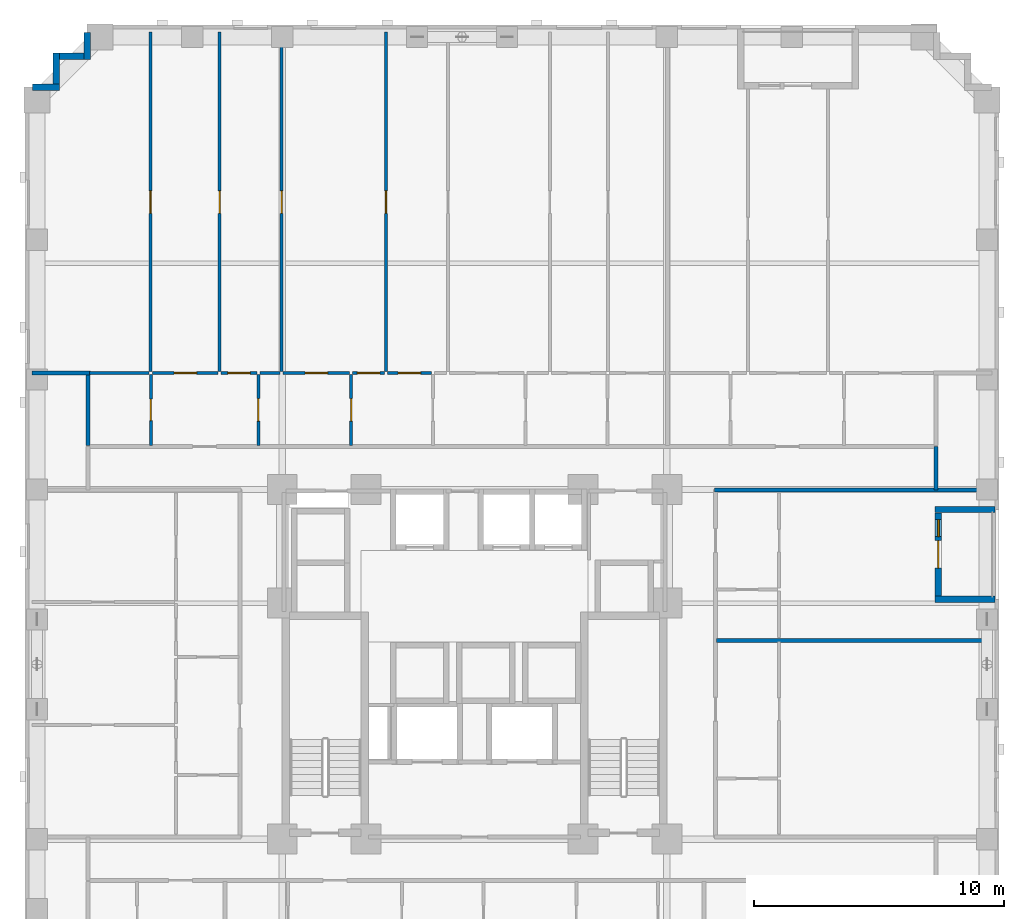
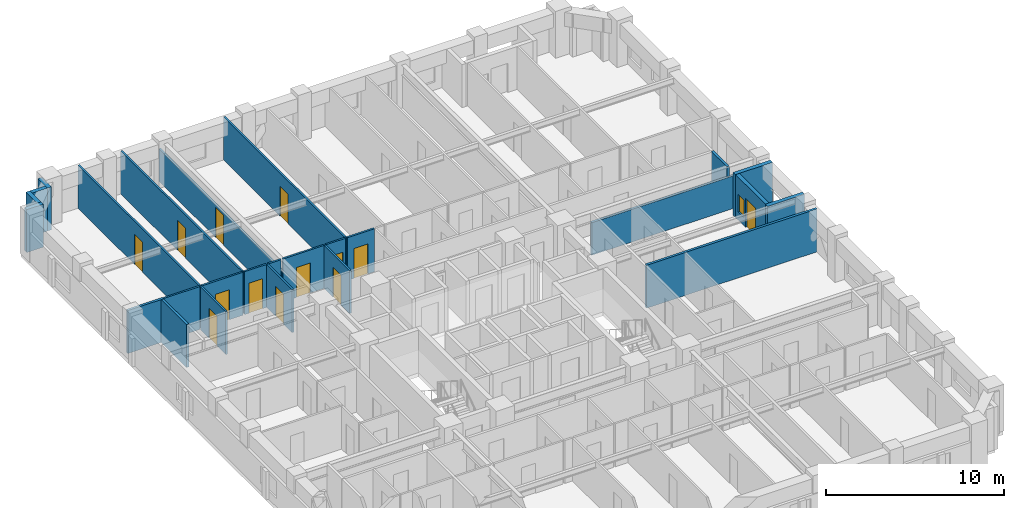
# One storey, part 7 of 14: 26 walls, 13 doors, 1 window, 14 openings.
"""IFC4 building model written with IfcOpenShell, lengths in metres."""

from ifc_helpers import new_model, si_unit, derived_unit, direction, frame, frame_2d, origin, place, context, subcontext, project, spatial, rectangle, extrude, material, layer, layer_set, type_object, element, fill, save


model = new_model("IFC4")

# Units and contexts
model_context = context("Model", 3, precision=1e-05, world=origin(), true_north=direction((0.0, 1.0)))
body_context = subcontext(model_context, "Body", "Model", "MODEL_VIEW")
ifc_project = project(units=[si_unit("LENGTHUNIT", "METRE"), si_unit("AREAUNIT", "SQUARE_METRE"), si_unit("VOLUMEUNIT", "CUBIC_METRE"), si_unit("PLANEANGLEUNIT", "RADIAN"), si_unit("MASSUNIT", "GRAM", prefix="KILO"), derived_unit("THERMALTRANSMITTANCEUNIT", [(si_unit("MASSUNIT", "GRAM", prefix="KILO"), 1), (si_unit("TIMEUNIT", "SECOND"), -3), (si_unit("THERMODYNAMICTEMPERATUREUNIT", "KELVIN"), -1)])], contexts=[model_context])

# Site, building, storey
site_placement = place(None, origin())
site = spatial("IfcSite", under=ifc_project, at=site_placement, CompositionType="ELEMENT")
building_placement = place(site_placement, origin())
building = spatial("IfcBuilding", under=site, at=building_placement, Name="Korrvale Station Residences", CompositionType="ELEMENT")
storey_placement = place(building_placement, frame((0.0, 0.0, 48.199951171875)))
storey = spatial("IfcBuildingStorey", under=building, at=storey_placement, Name="L12", CompositionType="ELEMENT", Elevation=48.199951171875)

# Wall
ifc_material_1 = material(Name="Precast concrete C45/55", Category="concrete")
ifc_layer_1 = layer(ifc_material_1, 0.260009765625, Name="Precast concrete C45/55")
ifc_layer_set_1 = layer_set([ifc_layer_1], Name="Precast concrete C45/55")
wall_type_1 = type_object("IfcWallType", Name="WAL-EXT-LOG260", PredefinedType="SOLIDWALL", material=ifc_layer_set_1)
wall_1_placement = place(storey_placement, frame((46.340087890625, 28.199951171875, 0.0), z_axis=(0.0, 0.0, 1.0), x_axis=(-1.0, 0.0, 0.0)))
element("IfcWall", 1, at=wall_1_placement, inside=storey, type_object=wall_type_1, Name="L12 Recessed Loggia Wall BAL-L12-E1-L", PredefinedType="SOLIDWALL", context=body_context, shape_type="SweptSolid", body=[
    extrude(rectangle(XDim=2.400146484375, YDim=0.260009765625, at=frame_2d((1.2001953125, 0.0))), origin(), (0.0, 0.0, 1.0), 2.93994140625),
])

# Wall, openings, door, window
wall_2_placement = place(storey_placement, frame((44.070068359375, 28.06591796875, 0.0), z_axis=(0.0, 0.0, 1.0), x_axis=(0.0, -1.0, 0.0)))
wall_2 = element("IfcWall", 2, at=wall_2_placement, inside=storey, type_object=wall_type_1, Name="L12 Recessed Loggia Wall BAL-L12-E1-B", PredefinedType="SOLIDWALL", context=body_context, shape_type="SweptSolid", body=[
    extrude(rectangle(XDim=3.33203125, YDim=0.260009765625, at=frame_2d((1.666015625, 0.0))), origin(), (0.0, 0.0, 1.0), 2.93994140625),
])
opening_1_placement = place(wall_2_placement, frame((1.115966796875, 0.0, 0.0)))
opening_1 = element("IfcOpeningElement", 3, at=opening_1_placement, cuts=wall_2, Name="Opening BD-01", PredefinedType="OPENING", context=body_context, shape_type="SweptSolid", body=[
    extrude(rectangle(XDim=1.10009765625, YDim=2.0, at=frame_2d((0.550048828125, 1.0))), frame((0.0, 0.14013671875, 0.0), z_axis=(0.0, -1.0, 0.0), x_axis=(1.0, 0.0, 0.0)), (0.0, 0.0, 1.0), 0.280029296875),
])
opening_2_placement = place(wall_2_placement, frame((0.27587890625, 0.0, 0.550048828125)))
opening_2 = element("IfcOpeningElement", 4, at=opening_2_placement, cuts=wall_2, Name="Opening W-12", PredefinedType="OPENING", context=body_context, shape_type="SweptSolid", body=[
    extrude(rectangle(XDim=0.679931640625, YDim=1.199951171875, at=frame_2d((0.33984375, 0.60009765625))), frame((0.0, 0.14013671875, 0.0), z_axis=(0.0, -1.0, 0.0), x_axis=(1.0, 0.0, 0.0)), (0.0, 0.0, 1.0), 0.280029296875),
])
ifc_material_2 = material(Name="Exterior thermally broken aluminium glazed balcony door", Category="aluminium")
door_type_1 = type_object("IfcDoorType", Name="DR-EXT-BAL", OperationType="NOTDEFINED", PredefinedType="DOOR", material=ifc_material_2)
door_1_placement = place(opening_1_placement, origin())
door_1 = element("IfcDoor", 5, at=door_1_placement, inside=storey, type_object=door_type_1, Name="L12 Loggia Balcony Door BAL-L12-E1", OperationType="SINGLE_SWING_RIGHT", OverallHeight=2.0, OverallWidth=1.10009765625, PredefinedType="DOOR", context=body_context, shape_type="SweptSolid", body=[
    extrude(rectangle(XDim=1.10009765625, YDim=2.0, at=frame_2d((0.550048828125, 1.0))), frame((0.0, 0.02490234375, 0.0), z_axis=(0.0, -1.0, 0.0), x_axis=(1.0, 0.0, 0.0)), (0.0, 0.0, 1.0), 0.050048828125),
])
fill(opening_1, door_1)
ifc_material_3 = material(Name="Thermally broken aluminium frame with triple low-e glazing", Category="aluminium")
window_type = type_object("IfcWindowType", Name="WIN-W12", PartitioningType="SINGLE_PANEL", PredefinedType="WINDOW", material=ifc_material_3)
window_placement = place(opening_2_placement, origin())
window = element("IfcWindow", 6, at=window_placement, inside=storey, type_object=window_type, Name="L12 Punched Window 25", OverallHeight=1.199951171875, OverallWidth=0.679931640625, PartitioningType="SINGLE_PANEL", PredefinedType="WINDOW", context=body_context, shape_type="SweptSolid", body=[
    extrude(rectangle(XDim=0.679931640625, YDim=1.199951171875, at=frame_2d((0.33984375, 0.60009765625))), frame((0.0, 0.030029296875, 0.0), z_axis=(0.0, -1.0, 0.0), x_axis=(1.0, 0.0, 0.0)), (0.0, 0.0, 1.0), 0.06005859375),
])
fill(opening_2, window)

# Walls
wall_3_placement = place(storey_placement, frame((43.93994140625, 24.60009765625, 0.0), z_axis=(0.0, 0.0, 1.0), x_axis=(1.0, 0.0, 0.0)))
element("IfcWall", 7, at=wall_3_placement, inside=storey, type_object=wall_type_1, Name="L12 Recessed Loggia Wall BAL-L12-E1-R", PredefinedType="SOLIDWALL", context=body_context, shape_type="SweptSolid", body=[
    extrude(rectangle(XDim=2.400146484375, YDim=0.260009765625, at=frame_2d((1.2001953125, 0.0))), origin(), (0.0, 0.0, 1.0), 2.93994140625),
])
wall_4_placement = place(storey_placement, frame((7.802001953125, 45.10009765625, 0.0), z_axis=(0.0, 0.0, 1.0), x_axis=(1.0, 0.0, 0.0)))
element("IfcWall", 8, at=wall_4_placement, inside=storey, type_object=wall_type_1, Name="L12 Serrated Corner Precast Step NW-1", PredefinedType="SOLIDWALL", context=body_context, shape_type="SweptSolid", body=[
    extrude(rectangle(XDim=1.077880859375, YDim=0.260009765625, at=frame_2d((0.5390625, 0.0))), origin(), (0.0, 0.0, 1.0), 2.93994140625),
])
wall_5_placement = place(storey_placement, frame((8.75, 45.23193359375, 0.0), z_axis=(0.0, 0.0, 1.0), x_axis=(0.0, 1.0, 0.0)))
element("IfcWall", 9, at=wall_5_placement, inside=storey, type_object=wall_type_1, Name="L12 Serrated Corner Precast Step NW-2", PredefinedType="SOLIDWALL", context=body_context, shape_type="SweptSolid", body=[
    extrude(rectangle(XDim=1.248046875, YDim=0.260009765625, at=frame_2d((0.6240234375, 0.0))), origin(), (0.0, 0.0, 1.0), 2.93994140625),
])
wall_6_placement = place(storey_placement, frame((8.882080078125, 46.35009765625, 0.0), z_axis=(0.0, 0.0, 1.0), x_axis=(1.0, 0.0, 0.0)))
element("IfcWall", 10, at=wall_6_placement, inside=storey, type_object=wall_type_1, Name="L12 Serrated Corner Precast Step NW-3", PredefinedType="SOLIDWALL", context=body_context, shape_type="SweptSolid", body=[
    extrude(rectangle(XDim=0.98583984375, YDim=0.260009765625, at=frame_2d((0.492919921875, 0.0))), origin(), (0.0, 0.0, 1.0), 2.93994140625),
])
wall_7_placement = place(storey_placement, frame((10.0, 46.219970703125, 0.0), z_axis=(0.0, 0.0, 1.0), x_axis=(0.0, 1.0, 0.0)))
element("IfcWall", 11, at=wall_7_placement, inside=storey, type_object=wall_type_1, Name="L12 Serrated Corner Precast Step NW-4", PredefinedType="SOLIDWALL", context=body_context, shape_type="SweptSolid", body=[
    extrude(rectangle(XDim=1.078125, YDim=0.260009765625, at=frame_2d((0.5390625, 0.0))), origin(), (0.0, 0.0, 1.0), 2.93994140625),
])

# Wall, opening, door
ifc_material_4 = material(Name="Acoustic steel-stud gypsum board partition", Category="steel")
ifc_layer_2 = layer(ifc_material_4, 0.1201171875, Name="Acoustic steel-stud gypsum board partition")
ifc_layer_set_2 = layer_set([ifc_layer_2], Name="Acoustic steel-stud gypsum board partition")
wall_type_2 = type_object("IfcWallType", Name="WAL-PART-125", PredefinedType="PARTITIONING", material=ifc_layer_set_2)
wall_8_placement = place(storey_placement, frame((12.5400390625, 30.760009765625, 0.0), z_axis=(0.0, 0.0, 1.0), x_axis=(0.0, 1.0, 0.0)))
wall_8 = element("IfcWall", 12, at=wall_8_placement, inside=storey, type_object=wall_type_2, Name="L12 Suite Partition U04-V01", PredefinedType="PARTITIONING", context=body_context, shape_type="SweptSolid", body=[
    extrude(rectangle(XDim=2.85009765625, YDim=0.1201171875, at=frame_2d((1.425048828125, 0.0))), origin(), (0.0, 0.0, 1.0), 2.93994140625),
])
opening_3_placement = place(wall_8_placement, frame((0.9951171875, 0.0, 0.0)))
opening_3 = element("IfcOpeningElement", 13, at=opening_3_placement, cuts=wall_8, Name="Opening DB-860", PredefinedType="OPENING", context=body_context, shape_type="SweptSolid", body=[
    extrude(rectangle(XDim=0.860107421875, YDim=2.050048828125, at=frame_2d((0.43017578125, 1.02490234375))), frame((0.0, 0.070068359375, 0.0), z_axis=(0.0, -1.0, 0.0), x_axis=(1.0, 0.0, 0.0)), (0.0, 0.0, 1.0), 0.14013671875),
])
ifc_material_5 = material(Name="Moisture-resistant solid-core bathroom door", Category="timber")
door_type_2 = type_object("IfcDoorType", Name="DR-BATH-860", OperationType="NOTDEFINED", PredefinedType="DOOR", material=ifc_material_5)
door_2_placement = place(opening_3_placement, origin())
door_2 = element("IfcDoor", 14, at=door_2_placement, inside=storey, type_object=door_type_2, Name="L12 Apartment 2BR L12-U04 Bathroom Door", OperationType="SINGLE_SWING_RIGHT", OverallHeight=2.050048828125, OverallWidth=0.860107421875, PredefinedType="DOOR", context=body_context, shape_type="SweptSolid", body=[
    extrude(rectangle(XDim=0.860107421875, YDim=2.050048828125, at=frame_2d((0.43017578125, 1.02490234375))), frame((0.0, 0.02490234375, 0.0), z_axis=(0.0, -1.0, 0.0), x_axis=(1.0, 0.0, 0.0)), (0.0, 0.0, 1.0), 0.050048828125),
])
fill(opening_3, door_2)

# Wall
wall_9_placement = place(storey_placement, frame((10.080078125, 33.669921875, 0.0), z_axis=(0.0, 0.0, 1.0), x_axis=(1.0, 0.0, 0.0)))
element("IfcWall", 15, at=wall_9_placement, inside=storey, type_object=wall_type_2, Name="L12 Suite Partition U04-H07", PredefinedType="PARTITIONING", context=body_context, shape_type="SweptSolid", body=[
    extrude(rectangle(XDim=2.3818359375, YDim=0.1201171875, at=frame_2d((1.19091796875, 0.0))), origin(), (0.0, 0.0, 1.0), 2.93994140625),
])

# Wall, opening, door
wall_10_placement = place(storey_placement, frame((16.840087890625, 30.760009765625, 0.0), z_axis=(0.0, 0.0, 1.0), x_axis=(0.0, 1.0, 0.0)))
wall_10 = element("IfcWall", 16, at=wall_10_placement, inside=storey, type_object=wall_type_2, Name="L12 Suite Partition U04-V12", PredefinedType="PARTITIONING", context=body_context, shape_type="SweptSolid", body=[
    extrude(rectangle(XDim=2.85009765625, YDim=0.1201171875, at=frame_2d((1.425048828125, 0.0))), origin(), (0.0, 0.0, 1.0), 2.93994140625),
])
opening_4_placement = place(wall_10_placement, frame((0.97509765625, 0.0, 0.0)))
opening_4 = element("IfcOpeningElement", 17, at=opening_4_placement, cuts=wall_10, Name="Opening DI-900", PredefinedType="OPENING", context=body_context, shape_type="SweptSolid", body=[
    extrude(rectangle(XDim=0.89990234375, YDim=2.050048828125, at=frame_2d((0.449951171875, 1.02490234375))), frame((0.0, 0.070068359375, 0.0), z_axis=(0.0, -1.0, 0.0), x_axis=(1.0, 0.0, 0.0)), (0.0, 0.0, 1.0), 0.14013671875),
])
ifc_material_6 = material(Name="Painted solid-core timber interior room door", Category="wood")
door_type_3 = type_object("IfcDoorType", Name="DR-INT-900", OperationType="NOTDEFINED", PredefinedType="DOOR", material=ifc_material_6)
door_3_placement = place(opening_4_placement, origin())
door_3 = element("IfcDoor", 18, at=door_3_placement, inside=storey, type_object=door_type_3, Name="L12 Apartment 2BR L12-U04 Kitchen Door", OperationType="SINGLE_SWING_LEFT", OverallHeight=2.050048828125, OverallWidth=0.89990234375, PredefinedType="DOOR", context=body_context, shape_type="SweptSolid", body=[
    extrude(rectangle(XDim=0.89990234375, YDim=2.050048828125, at=frame_2d((0.449951171875, 1.02490234375))), frame((0.0, 0.02490234375, 0.0), z_axis=(0.0, -1.0, 0.0), x_axis=(1.0, 0.0, 0.0)), (0.0, 0.0, 1.0), 0.050048828125),
])
fill(opening_4, door_3)

wall_11_placement = place(storey_placement, frame((12.60009765625, 33.669921875, 0.0), z_axis=(0.0, 0.0, 1.0), x_axis=(1.0, 0.0, 0.0)))
wall_11 = element("IfcWall", 19, at=wall_11_placement, inside=storey, type_object=wall_type_2, Name="L12 Suite Partition U04-H18", PredefinedType="PARTITIONING", context=body_context, shape_type="SweptSolid", body=[
    extrude(rectangle(XDim=2.636962890625, YDim=0.1201171875, at=frame_2d((1.318359375, 0.0))), origin(), (0.0, 0.0, 1.0), 2.93994140625),
])
opening_5_placement = place(wall_11_placement, frame((0.867919921875, 0.0, 0.0)))
opening_5 = element("IfcOpeningElement", 20, at=opening_5_placement, cuts=wall_11, Name="Opening DI-900", PredefinedType="OPENING", context=body_context, shape_type="SweptSolid", body=[
    extrude(rectangle(XDim=0.89990234375, YDim=2.050048828125, at=frame_2d((0.449951171875, 1.02490234375))), frame((0.0, 0.070068359375, 0.0), z_axis=(0.0, -1.0, 0.0), x_axis=(1.0, 0.0, 0.0)), (0.0, 0.0, 1.0), 0.14013671875),
])
door_4_placement = place(opening_5_placement, origin())
door_4 = element("IfcDoor", 21, at=door_4_placement, inside=storey, type_object=door_type_3, Name="L12 Apartment 2BR L12-U04 Kitchen Door", OperationType="SINGLE_SWING_RIGHT", OverallHeight=2.050048828125, OverallWidth=0.89990234375, PredefinedType="DOOR", context=body_context, shape_type="SweptSolid", body=[
    extrude(rectangle(XDim=0.89990234375, YDim=2.050048828125, at=frame_2d((0.449951171875, 1.02490234375))), frame((0.0, 0.02490234375, 0.0), z_axis=(0.0, -1.0, 0.0), x_axis=(1.0, 0.0, 0.0)), (0.0, 0.0, 1.0), 0.050048828125),
])
fill(opening_5, door_4)

wall_12_placement = place(storey_placement, frame((15.35693359375, 33.669921875, 0.0), z_axis=(0.0, 0.0, 1.0), x_axis=(1.0, 0.0, 0.0)))
wall_12 = element("IfcWall", 22, at=wall_12_placement, inside=storey, type_object=wall_type_2, Name="L12 Suite Partition U04-H19", PredefinedType="PARTITIONING", context=body_context, shape_type="SweptSolid", body=[
    extrude(rectangle(XDim=1.423095703125, YDim=0.1201171875, at=frame_2d((0.71142578125, 0.0))), origin(), (0.0, 0.0, 1.0), 2.93994140625),
])
opening_6_placement = place(wall_12_placement, frame((0.261962890625, 0.0, 0.0)))
opening_6 = element("IfcOpeningElement", 23, at=opening_6_placement, cuts=wall_12, Name="Opening DI-900", PredefinedType="OPENING", context=body_context, shape_type="SweptSolid", body=[
    extrude(rectangle(XDim=0.89990234375, YDim=2.050048828125, at=frame_2d((0.449951171875, 1.02490234375))), frame((0.0, 0.070068359375, 0.0), z_axis=(0.0, -1.0, 0.0), x_axis=(1.0, 0.0, 0.0)), (0.0, 0.0, 1.0), 0.14013671875),
])
door_5_placement = place(opening_6_placement, origin())
door_5 = element("IfcDoor", 24, at=door_5_placement, inside=storey, type_object=door_type_3, Name="L12 Apartment 2BR L12-U04 Kitchen Door", OperationType="SINGLE_SWING_LEFT", OverallHeight=2.050048828125, OverallWidth=0.89990234375, PredefinedType="DOOR", context=body_context, shape_type="SweptSolid", body=[
    extrude(rectangle(XDim=0.89990234375, YDim=2.050048828125, at=frame_2d((0.449951171875, 1.02490234375))), frame((0.0, 0.02490234375, 0.0), z_axis=(0.0, -1.0, 0.0), x_axis=(1.0, 0.0, 0.0)), (0.0, 0.0, 1.0), 0.050048828125),
])
fill(opening_6, door_5)

wall_13_placement = place(storey_placement, frame((20.56005859375, 30.760009765625, 0.0), z_axis=(0.0, 0.0, 1.0), x_axis=(0.0, 1.0, 0.0)))
wall_13 = element("IfcWall", 25, at=wall_13_placement, inside=storey, type_object=wall_type_2, Name="L12 Suite Partition U04-V23", PredefinedType="PARTITIONING", context=body_context, shape_type="SweptSolid", body=[
    extrude(rectangle(XDim=2.85009765625, YDim=0.1201171875, at=frame_2d((1.425048828125, 0.0))), origin(), (0.0, 0.0, 1.0), 2.93994140625),
])
opening_7_placement = place(wall_13_placement, frame((0.97509765625, 0.0, 0.0)))
opening_7 = element("IfcOpeningElement", 26, at=opening_7_placement, cuts=wall_13, Name="Opening DI-900", PredefinedType="OPENING", context=body_context, shape_type="SweptSolid", body=[
    extrude(rectangle(XDim=0.89990234375, YDim=2.050048828125, at=frame_2d((0.449951171875, 1.02490234375))), frame((0.0, 0.070068359375, 0.0), z_axis=(0.0, -1.0, 0.0), x_axis=(1.0, 0.0, 0.0)), (0.0, 0.0, 1.0), 0.14013671875),
])
door_6_placement = place(opening_7_placement, origin())
door_6 = element("IfcDoor", 27, at=door_6_placement, inside=storey, type_object=door_type_3, Name="L12 Apartment 2BR L12-U04 Utility and Laundry Room Door", OperationType="SINGLE_SWING_RIGHT", OverallHeight=2.050048828125, OverallWidth=0.89990234375, PredefinedType="DOOR", context=body_context, shape_type="SweptSolid", body=[
    extrude(rectangle(XDim=0.89990234375, YDim=2.050048828125, at=frame_2d((0.449951171875, 1.02490234375))), frame((0.0, 0.02490234375, 0.0), z_axis=(0.0, -1.0, 0.0), x_axis=(1.0, 0.0, 0.0)), (0.0, 0.0, 1.0), 0.050048828125),
])
fill(opening_7, door_6)

# Wall
wall_14_placement = place(storey_placement, frame((16.89990234375, 33.669921875, 0.0), z_axis=(0.0, 0.0, 1.0), x_axis=(1.0, 0.0, 0.0)))
element("IfcWall", 28, at=wall_14_placement, inside=storey, type_object=wall_type_2, Name="L12 Suite Partition U04-H29", PredefinedType="PARTITIONING", context=body_context, shape_type="SweptSolid", body=[
    extrude(rectangle(XDim=0.817138671875, YDim=0.1201171875, at=frame_2d((0.40869140625, 0.0))), origin(), (0.0, 0.0, 1.0), 2.93994140625),
])

# Wall, opening, door
wall_15_placement = place(storey_placement, frame((17.8369140625, 33.669921875, 0.0), z_axis=(0.0, 0.0, 1.0), x_axis=(1.0, 0.0, 0.0)))
wall_15 = element("IfcWall", 29, at=wall_15_placement, inside=storey, type_object=wall_type_2, Name="L12 Suite Partition U04-H210", PredefinedType="PARTITIONING", context=body_context, shape_type="SweptSolid", body=[
    extrude(rectangle(XDim=2.6630859375, YDim=0.1201171875, at=frame_2d((1.33154296875, 0.0))), origin(), (0.0, 0.0, 1.0), 2.93994140625),
])
opening_8_placement = place(wall_15_placement, frame((0.882080078125, 0.0, 0.0)))
opening_8 = element("IfcOpeningElement", 30, at=opening_8_placement, cuts=wall_15, Name="Opening DI-900", PredefinedType="OPENING", context=body_context, shape_type="SweptSolid", body=[
    extrude(rectangle(XDim=0.89990234375, YDim=2.050048828125, at=frame_2d((0.449951171875, 1.02490234375))), frame((0.0, 0.070068359375, 0.0), z_axis=(0.0, -1.0, 0.0), x_axis=(1.0, 0.0, 0.0)), (0.0, 0.0, 1.0), 0.14013671875),
])
door_7_placement = place(opening_8_placement, origin())
door_7 = element("IfcDoor", 31, at=door_7_placement, inside=storey, type_object=door_type_3, Name="L12 Apartment 2BR L12-U04 Utility and Laundry Room Door", OperationType="SINGLE_SWING_LEFT", OverallHeight=2.050048828125, OverallWidth=0.89990234375, PredefinedType="DOOR", context=body_context, shape_type="SweptSolid", body=[
    extrude(rectangle(XDim=0.89990234375, YDim=2.050048828125, at=frame_2d((0.449951171875, 1.02490234375))), frame((0.0, 0.02490234375, 0.0), z_axis=(0.0, -1.0, 0.0), x_axis=(1.0, 0.0, 0.0)), (0.0, 0.0, 1.0), 0.050048828125),
])
fill(opening_8, door_7)

wall_16_placement = place(storey_placement, frame((20.6201171875, 33.669921875, 0.0), z_axis=(0.0, 0.0, 1.0), x_axis=(1.0, 0.0, 0.0)))
wall_16 = element("IfcWall", 32, at=wall_16_placement, inside=storey, type_object=wall_type_2, Name="L12 Suite Partition U04-H310", PredefinedType="PARTITIONING", context=body_context, shape_type="SweptSolid", body=[
    extrude(rectangle(XDim=1.27294921875, YDim=0.1201171875, at=frame_2d((0.636474609375, 0.0))), origin(), (0.0, 0.0, 1.0), 2.93994140625),
])
opening_9_placement = place(wall_16_placement, frame((0.18603515625, 0.0, 0.0)))
opening_9 = element("IfcOpeningElement", 33, at=opening_9_placement, cuts=wall_16, Name="Opening DI-900", PredefinedType="OPENING", context=body_context, shape_type="SweptSolid", body=[
    extrude(rectangle(XDim=0.89990234375, YDim=2.050048828125, at=frame_2d((0.449951171875, 1.02490234375))), frame((0.0, 0.070068359375, 0.0), z_axis=(0.0, -1.0, 0.0), x_axis=(1.0, 0.0, 0.0)), (0.0, 0.0, 1.0), 0.14013671875),
])
door_8_placement = place(opening_9_placement, origin())
door_8 = element("IfcDoor", 34, at=door_8_placement, inside=storey, type_object=door_type_3, Name="L12 Apartment 2BR L12-U04 Storage Closet 2 Door", OperationType="SINGLE_SWING_LEFT", OverallHeight=2.050048828125, OverallWidth=0.89990234375, PredefinedType="DOOR", context=body_context, shape_type="SweptSolid", body=[
    extrude(rectangle(XDim=0.89990234375, YDim=2.050048828125, at=frame_2d((0.449951171875, 1.02490234375))), frame((0.0, 0.02490234375, 0.0), z_axis=(0.0, -1.0, 0.0), x_axis=(1.0, 0.0, 0.0)), (0.0, 0.0, 1.0), 0.050048828125),
])
fill(opening_9, door_8)

wall_17_placement = place(storey_placement, frame((22.012939453125, 33.669921875, 0.0), z_axis=(0.0, 0.0, 1.0), x_axis=(1.0, 0.0, 0.0)))
wall_17 = element("IfcWall", 35, at=wall_17_placement, inside=storey, type_object=wall_type_2, Name="L12 Suite Partition U04-H311", PredefinedType="PARTITIONING", context=body_context, shape_type="SweptSolid", body=[
    extrude(rectangle(XDim=1.757080078125, YDim=0.1201171875, at=frame_2d((0.87841796875, 0.0))), origin(), (0.0, 0.0, 1.0), 2.93994140625),
])
opening_10_placement = place(wall_17_placement, frame((0.427978515625, 0.0, 0.0)))
opening_10 = element("IfcOpeningElement", 36, at=opening_10_placement, cuts=wall_17, Name="Opening DI-900", PredefinedType="OPENING", context=body_context, shape_type="SweptSolid", body=[
    extrude(rectangle(XDim=0.89990234375, YDim=2.050048828125, at=frame_2d((0.449951171875, 1.02490234375))), frame((0.0, 0.070068359375, 0.0), z_axis=(0.0, -1.0, 0.0), x_axis=(1.0, 0.0, 0.0)), (0.0, 0.0, 1.0), 0.14013671875),
])
door_9_placement = place(opening_10_placement, origin())
door_9 = element("IfcDoor", 37, at=door_9_placement, inside=storey, type_object=door_type_3, Name="L12 Apartment 2BR L12-U04 Storage Closet 2 Door", OperationType="SINGLE_SWING_RIGHT", OverallHeight=2.050048828125, OverallWidth=0.89990234375, PredefinedType="DOOR", context=body_context, shape_type="SweptSolid", body=[
    extrude(rectangle(XDim=0.89990234375, YDim=2.050048828125, at=frame_2d((0.449951171875, 1.02490234375))), frame((0.0, 0.02490234375, 0.0), z_axis=(0.0, -1.0, 0.0), x_axis=(1.0, 0.0, 0.0)), (0.0, 0.0, 1.0), 0.050048828125),
])
fill(opening_10, door_9)

wall_18_placement = place(storey_placement, frame((12.52197265625, 33.72998046875, 0.0), z_axis=(0.0, 0.0, 1.0), x_axis=(0.0, 1.0, 0.0)))
wall_18 = element("IfcWall", 38, at=wall_18_placement, inside=storey, type_object=wall_type_2, Name="L12 Suite Partition U04-V78", PredefinedType="PARTITIONING", context=body_context, shape_type="SweptSolid", body=[
    extrude(rectangle(XDim=13.590087890625, YDim=0.1201171875, at=frame_2d((6.794921875, 0.0))), origin(), (0.0, 0.0, 1.0), 2.93994140625),
])
opening_11_placement = place(wall_18_placement, frame((6.330078125, 0.0, 0.0)))
opening_11 = element("IfcOpeningElement", 39, at=opening_11_placement, cuts=wall_18, Name="Opening DI-900", PredefinedType="OPENING", context=body_context, shape_type="SweptSolid", body=[
    extrude(rectangle(XDim=0.89990234375, YDim=2.050048828125, at=frame_2d((0.449951171875, 1.02490234375))), frame((0.0, 0.070068359375, 0.0), z_axis=(0.0, -1.0, 0.0), x_axis=(1.0, 0.0, 0.0)), (0.0, 0.0, 1.0), 0.14013671875),
])
door_10_placement = place(opening_11_placement, origin())
door_10 = element("IfcDoor", 40, at=door_10_placement, inside=storey, type_object=door_type_3, Name="L12 Apartment 2BR L12-U04 Living and Dining Room Door", OperationType="SINGLE_SWING_RIGHT", OverallHeight=2.050048828125, OverallWidth=0.89990234375, PredefinedType="DOOR", context=body_context, shape_type="SweptSolid", body=[
    extrude(rectangle(XDim=0.89990234375, YDim=2.050048828125, at=frame_2d((0.449951171875, 1.02490234375))), frame((0.0, 0.02490234375, 0.0), z_axis=(0.0, -1.0, 0.0), x_axis=(1.0, 0.0, 0.0)), (0.0, 0.0, 1.0), 0.050048828125),
])
fill(opening_11, door_10)

wall_19_placement = place(storey_placement, frame((15.297119140625, 33.72998046875, 0.0), z_axis=(0.0, 0.0, 1.0), x_axis=(0.0, 1.0, 0.0)))
wall_19 = element("IfcWall", 41, at=wall_19_placement, inside=storey, type_object=wall_type_2, Name="L12 Suite Partition U04-V89", PredefinedType="PARTITIONING", context=body_context, shape_type="SweptSolid", body=[
    extrude(rectangle(XDim=13.590087890625, YDim=0.1201171875, at=frame_2d((6.794921875, 0.0))), origin(), (0.0, 0.0, 1.0), 2.93994140625),
])
opening_12_placement = place(wall_19_placement, frame((6.330078125, 0.0, 0.0)))
opening_12 = element("IfcOpeningElement", 42, at=opening_12_placement, cuts=wall_19, Name="Opening DI-900", PredefinedType="OPENING", context=body_context, shape_type="SweptSolid", body=[
    extrude(rectangle(XDim=0.89990234375, YDim=2.050048828125, at=frame_2d((0.449951171875, 1.02490234375))), frame((0.0, 0.070068359375, 0.0), z_axis=(0.0, -1.0, 0.0), x_axis=(1.0, 0.0, 0.0)), (0.0, 0.0, 1.0), 0.14013671875),
])
door_11_placement = place(opening_12_placement, origin())
door_11 = element("IfcDoor", 43, at=door_11_placement, inside=storey, type_object=door_type_3, Name="L12 Apartment 2BR L12-U04 Wardrobe Storage Room Door", OperationType="SINGLE_SWING_LEFT", OverallHeight=2.050048828125, OverallWidth=0.89990234375, PredefinedType="DOOR", context=body_context, shape_type="SweptSolid", body=[
    extrude(rectangle(XDim=0.89990234375, YDim=2.050048828125, at=frame_2d((0.449951171875, 1.02490234375))), frame((0.0, 0.02490234375, 0.0), z_axis=(0.0, -1.0, 0.0), x_axis=(1.0, 0.0, 0.0)), (0.0, 0.0, 1.0), 0.050048828125),
])
fill(opening_12, door_11)

wall_20_placement = place(storey_placement, frame((17.777099609375, 33.72998046875, 0.0), z_axis=(0.0, 0.0, 1.0), x_axis=(0.0, 1.0, 0.0)))
wall_20 = element("IfcWall", 44, at=wall_20_placement, inside=storey, type_object=wall_type_2, Name="L12 Suite Partition U04-V910", PredefinedType="PARTITIONING", context=body_context, shape_type="SweptSolid", body=[
    extrude(rectangle(XDim=13.590087890625, YDim=0.1201171875, at=frame_2d((6.794921875, 0.0))), origin(), (0.0, 0.0, 1.0), 2.23193359375),
])
opening_13_placement = place(wall_20_placement, frame((6.330078125, 0.0, 0.0)))
opening_13 = element("IfcOpeningElement", 45, at=opening_13_placement, cuts=wall_20, Name="Opening DI-900", PredefinedType="OPENING", context=body_context, shape_type="SweptSolid", body=[
    extrude(rectangle(XDim=0.89990234375, YDim=2.050048828125, at=frame_2d((0.449951171875, 1.02490234375))), frame((0.0, 0.070068359375, 0.0), z_axis=(0.0, -1.0, 0.0), x_axis=(1.0, 0.0, 0.0)), (0.0, 0.0, 1.0), 0.14013671875),
])
door_12_placement = place(opening_13_placement, origin())
door_12 = element("IfcDoor", 46, at=door_12_placement, inside=storey, type_object=door_type_3, Name="L12 Apartment 2BR L12-U04 Home Study Room Door", OperationType="SINGLE_SWING_RIGHT", OverallHeight=2.050048828125, OverallWidth=0.89990234375, PredefinedType="DOOR", context=body_context, shape_type="SweptSolid", body=[
    extrude(rectangle(XDim=0.89990234375, YDim=2.050048828125, at=frame_2d((0.449951171875, 1.02490234375))), frame((0.0, 0.02490234375, 0.0), z_axis=(0.0, -1.0, 0.0), x_axis=(1.0, 0.0, 0.0)), (0.0, 0.0, 1.0), 0.050048828125),
])
fill(opening_13, door_12)

wall_21_placement = place(storey_placement, frame((21.952880859375, 33.72998046875, 0.0), z_axis=(0.0, 0.0, 1.0), x_axis=(0.0, 1.0, 0.0)))
wall_21 = element("IfcWall", 47, at=wall_21_placement, inside=storey, type_object=wall_type_2, Name="L12 Suite Partition U04-V1011", PredefinedType="PARTITIONING", context=body_context, shape_type="SweptSolid", body=[
    extrude(rectangle(XDim=13.590087890625, YDim=0.1201171875, at=frame_2d((6.794921875, 0.0))), origin(), (0.0, 0.0, 1.0), 2.93994140625),
])
opening_14_placement = place(wall_21_placement, frame((6.330078125, 0.0, 0.0)))
opening_14 = element("IfcOpeningElement", 48, at=opening_14_placement, cuts=wall_21, Name="Opening DI-900", PredefinedType="OPENING", context=body_context, shape_type="SweptSolid", body=[
    extrude(rectangle(XDim=0.89990234375, YDim=2.050048828125, at=frame_2d((0.449951171875, 1.02490234375))), frame((0.0, 0.070068359375, 0.0), z_axis=(0.0, -1.0, 0.0), x_axis=(1.0, 0.0, 0.0)), (0.0, 0.0, 1.0), 0.14013671875),
])
door_13_placement = place(opening_14_placement, origin())
door_13 = element("IfcDoor", 49, at=door_13_placement, inside=storey, type_object=door_type_3, Name="L12 Apartment 2BR L12-U04 Family Lounge Room Door", OperationType="SINGLE_SWING_LEFT", OverallHeight=2.050048828125, OverallWidth=0.89990234375, PredefinedType="DOOR", context=body_context, shape_type="SweptSolid", body=[
    extrude(rectangle(XDim=0.89990234375, YDim=2.050048828125, at=frame_2d((0.449951171875, 1.02490234375))), frame((0.0, 0.02490234375, 0.0), z_axis=(0.0, -1.0, 0.0), x_axis=(1.0, 0.0, 0.0)), (0.0, 0.0, 1.0), 0.050048828125),
])
fill(opening_14, door_13)

# Walls
ifc_material_7 = material(Name="Fire-rated twin-stud gypsum and mineral wool shaftwall assembly", Category="gypsum")
ifc_layer_3 = layer(ifc_material_7, 0.159912109375, Name="Fire-rated twin-stud gypsum and mineral wool shaftwall assembly")
ifc_layer_set_3 = layer_set([ifc_layer_3], Name="Fire-rated twin-stud gypsum and mineral wool shaftwall assembly")
wall_type_3 = type_object("IfcWallType", Name="WAL-PART-200", PredefinedType="PARTITIONING", material=ifc_layer_set_3)
wall_22_placement = place(storey_placement, frame((43.97998046875, 28.97998046875, 0.0), z_axis=(0.0, 0.0, 1.0), x_axis=(0.0, 1.0, 0.0)))
element("IfcWall", 50, at=wall_22_placement, inside=storey, type_object=wall_type_3, Name="L12 Corridor North East Cap", PredefinedType="PARTITIONING", context=body_context, shape_type="SweptSolid", body=[
    extrude(rectangle(XDim=1.739990234375, YDim=0.159912109375, at=frame_2d((0.8701171875, 0.0))), origin(), (0.0, 0.0, 1.0), 2.93994140625),
])
wall_23_placement = place(storey_placement, frame((35.110107421875, 28.97998046875, 0.0), z_axis=(0.0, 0.0, 1.0), x_axis=(1.0, 0.0, 0.0)))
element("IfcWall", 51, at=wall_23_placement, inside=storey, type_object=wall_type_3, Name="L12 East Wing North Corridor Wall", PredefinedType="PARTITIONING", context=body_context, shape_type="SweptSolid", body=[
    extrude(rectangle(XDim=11.10986328125, YDim=0.159912109375, at=frame_2d((5.554931640625, 0.0))), origin(), (0.0, 0.0, 1.0), 2.23193359375),
])
wall_24_placement = place(storey_placement, frame((7.780029296875, 33.669921875, 0.0), z_axis=(0.0, 0.0, 1.0), x_axis=(1.0, 0.0, 0.0)))
element("IfcWall", 52, at=wall_24_placement, inside=storey, type_object=wall_type_3, Name="L12 Corner Step Wall U04-L", PredefinedType="PARTITIONING", context=body_context, shape_type="SweptSolid", body=[
    extrude(rectangle(XDim=2.340087890625, YDim=0.159912109375, at=frame_2d((1.169921875, 0.0))), origin(), (0.0, 0.0, 1.0), 2.93994140625),
])
wall_25_placement = place(storey_placement, frame((10.02001953125, 30.760009765625, 0.0), z_axis=(0.0, 0.0, 1.0), x_axis=(0.0, 1.0, 0.0)))
element("IfcWall", 53, at=wall_25_placement, inside=storey, type_object=wall_type_3, Name="L12 Corner Step Cheek U04-L", PredefinedType="PARTITIONING", context=body_context, shape_type="SweptSolid", body=[
    extrude(rectangle(XDim=2.909912109375, YDim=0.159912109375, at=frame_2d((1.455078125, 0.0))), origin(), (0.0, 0.0, 1.0), 2.93994140625),
])
wall_26_placement = place(storey_placement, frame((35.18994140625, 22.9619140625, 0.0), z_axis=(0.0, 0.0, 1.0), x_axis=(1.0, 0.0, 0.0)))
element("IfcWall", 54, at=wall_26_placement, inside=storey, type_object=wall_type_3, Name="L12 Demising Wall U07-N", PredefinedType="PARTITIONING", context=body_context, shape_type="SweptSolid", body=[
    extrude(rectangle(XDim=11.030029296875, YDim=0.159912109375, at=frame_2d((5.51513671875, 0.0))), origin(), (0.0, 0.0, 1.0), 2.93994140625),
])

save(model, "model.ifc")
